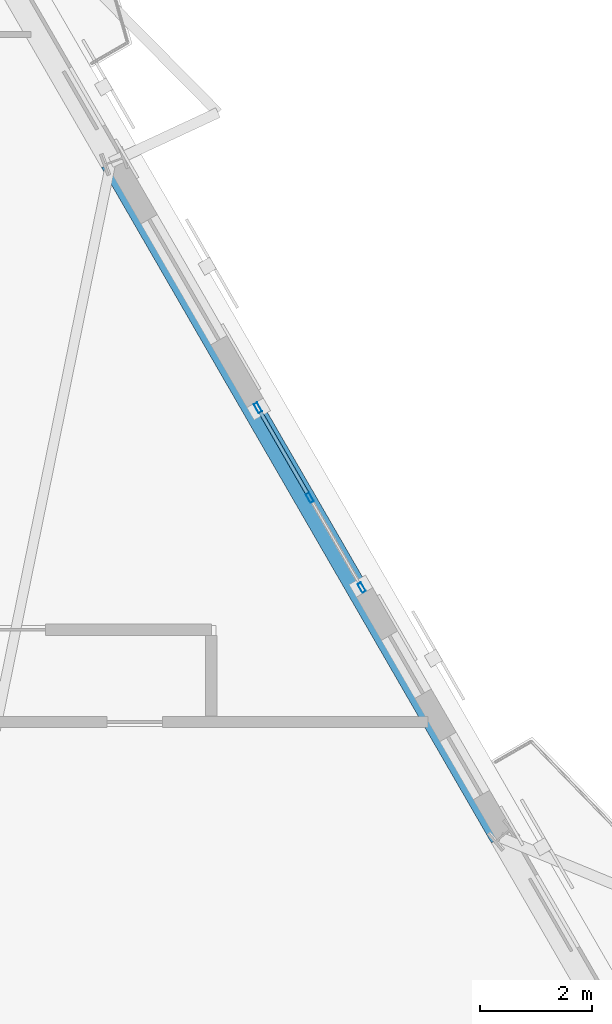
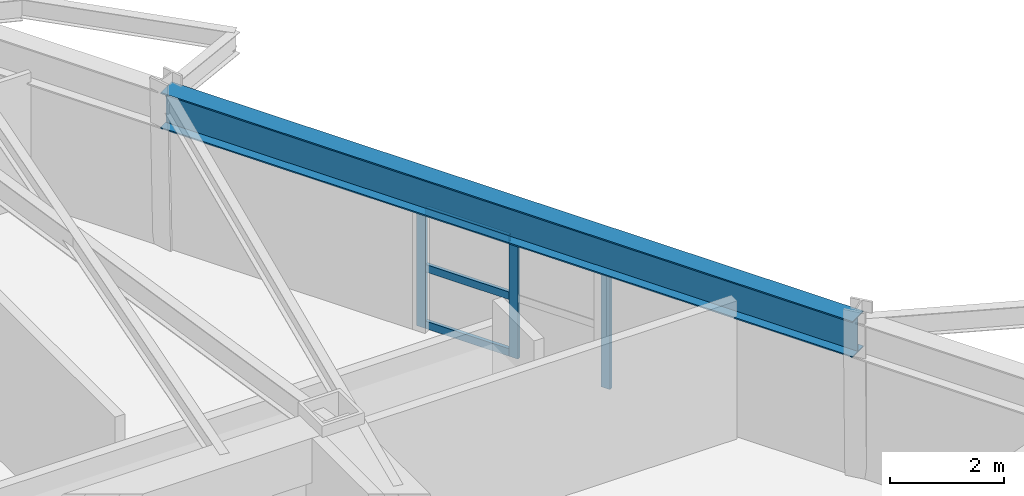
# One storey, part 7 of 16: 6 members, 1 beam, 1 element without a shape of its own.
"""IFC4 building model written with IfcOpenShell, lengths in metres."""

from ifc_helpers import new_model, si_unit, direction, frame, origin, origin_2d, place, context, subcontext, project, spatial, hollow_rectangle, i_section, extrude, material, layer, layer_set, material_profile, profile_set, type_object, element, aggregate, save


model = new_model("IFC4")

# Units and contexts
model_context = context("Model", 3, precision=1e-05, world=origin(), true_north=direction((0.0, 1.0)))
body_context = subcontext(model_context, "Body", "Model", "MODEL_VIEW")
ifc_project = project(units=[si_unit("LENGTHUNIT", "METRE"), si_unit("AREAUNIT", "SQUARE_METRE"), si_unit("VOLUMEUNIT", "CUBIC_METRE"), si_unit("PLANEANGLEUNIT", "RADIAN"), si_unit("MASSUNIT", "GRAM", prefix="KILO")], contexts=[model_context])

# Site, building, storey
site_placement = place(None, origin())
site = spatial("IfcSite", under=ifc_project, at=site_placement, CompositionType="ELEMENT")
building_placement = place(site_placement, origin())
building = spatial("IfcBuilding", under=site, at=building_placement, Name="Oramaril Tower", CompositionType="ELEMENT")
storey_placement = place(building_placement, frame((0.0, 0.0, 115.800048828125)))
storey = spatial("IfcBuildingStorey", under=building, at=storey_placement, Name="L30", CompositionType="ELEMENT", Elevation=115.800048828125)

# Beam
ifc_material_1 = material(Name="Steel ASTM A572 Gr 50", Category="steel")
ifc_material_profile_1 = material_profile(ifc_material_1, i_section(OverallWidth=0.381103515625, OverallDepth=0.77197265625, WebThickness=0.0166015625, FlangeThickness=0.027099609375, at=origin_2d()), Name="W30X173")
ifc_profile_set_1 = profile_set([ifc_material_profile_1], Name="Steel ASTM A572 Gr 50")
beam_type = type_object("IfcBeamType", Name="BT-SP2", PredefinedType="SPANDREL", material=ifc_profile_set_1)
beam_placement = place(storey_placement, frame((55.181640625, 22.248291015625, 2.973876953125), z_axis=(-0.500000489483, 0.866025121181, 0.0), x_axis=(-0.866025121181, -0.500000489483, 0.0)))
element("IfcBeam", 1, at=beam_placement, inside=storey, type_object=beam_type, Name="L30 Perimeter Spandrel 10", PredefinedType="SPANDREL", context=body_context, shape_type="SweptSolid", body=[
    extrude(i_section(OverallWidth=0.381103515625, OverallDepth=0.77197265625, WebThickness=0.0166015625, FlangeThickness=0.027099609375, at=origin_2d()), origin(), (0.0, 0.0, 1.0), 13.96044921875),
])

# Curtain wall, members
ifc_material_2 = material(Name="Anodised Aluminium 6063-T6", Category="aluminium")
ifc_layer = layer(ifc_material_2, 0.179931640625)
ifc_layer_set = layer_set([ifc_layer], Name="CWT-SYS3")
curtain_wall_type = type_object("IfcCurtainWallType", Name="CWT-SYS3", PredefinedType="NOTDEFINED", material=ifc_layer_set)
curtain_wall_placement = place(storey_placement, origin())
curtain_wall = element("IfcCurtainWall", 2, at=curtain_wall_placement, inside=storey, type_object=curtain_wall_type, Name="L30 Unitised Curtain Wall CW-3", PredefinedType="NOTDEFINED")
ifc_material_3 = material(Name="Anodised Aluminium 6063-T6", Category="aluminium")
ifc_material_profile_2 = material_profile(ifc_material_3, hollow_rectangle(XDim=0.070068359375, YDim=0.179931640625, WallThickness=0.00390625, at=origin_2d()), Name="CWM180X70")
ifc_profile_set_2 = profile_set([ifc_material_profile_2], Name="Anodised Aluminium 6063-T6")
member_type_1 = type_object("IfcMemberType", Name="MT-CWM2", PredefinedType="MULLION", material=ifc_profile_set_2)
member_1_placement = place(storey_placement, frame((52.694091796875, 26.724609375, 0.0), z_axis=(0.0, 0.0, 1.0), x_axis=(-0.866025463091, -0.499999897278, 0.0)))
member_1 = element("IfcMember", 3, at=member_1_placement, type_object=member_type_1, Name="CW-3 mullion 1", PredefinedType="MULLION", context=body_context, shape_type="SweptSolid", body=[
    extrude(hollow_rectangle(XDim=0.070068359375, YDim=0.179931640625, WallThickness=0.00390625, at=origin_2d()), origin(), (0.0, 0.0, 1.0), 2.577880859375),
])
member_2_placement = place(storey_placement, frame((51.763916015625, 28.33544921875, 0.0), z_axis=(0.0, 0.0, 1.0), x_axis=(-0.866025463091, -0.499999897278, 0.0)))
member_2 = element("IfcMember", 4, at=member_2_placement, type_object=member_type_1, Name="CW-3 mullion 2", PredefinedType="MULLION", context=body_context, shape_type="SweptSolid", body=[
    extrude(hollow_rectangle(XDim=0.070068359375, YDim=0.179931640625, WallThickness=0.00390625, at=origin_2d()), origin(), (0.0, 0.0, 1.0), 2.577880859375),
])
member_3_placement = place(storey_placement, frame((50.833984375, 29.946044921875, 0.0), z_axis=(0.0, 0.0, 1.0), x_axis=(-0.866025463091, -0.499999897278, 0.0)))
member_3 = element("IfcMember", 5, at=member_3_placement, type_object=member_type_1, Name="CW-3 mullion 3", PredefinedType="MULLION", context=body_context, shape_type="SweptSolid", body=[
    extrude(hollow_rectangle(XDim=0.070068359375, YDim=0.179931640625, WallThickness=0.00390625, at=origin_2d()), origin(), (0.0, 0.0, 1.0), 2.577880859375),
])
ifc_material_4 = material(Name="Anodised Aluminium 6063-T6", Category="aluminium")
ifc_material_profile_3 = material_profile(ifc_material_4, hollow_rectangle(XDim=0.070068359375, YDim=0.159912109375, WallThickness=0.00390625, at=origin_2d()), Name="CWT160X70")
ifc_profile_set_3 = profile_set([ifc_material_profile_3], Name="Anodised Aluminium 6063-T6")
member_type_2 = type_object("IfcMemberType", Name="MT-CWT1", PredefinedType="USERDEFINED", material=ifc_profile_set_3)
member_4_placement = place(storey_placement, frame((51.718994140625, 28.413330078125, 0.079833984375), z_axis=(-0.500062097304, 0.865989548921, 0.0), x_axis=(-0.865989548921, -0.500062097304, 0.0)))
member_4 = element("IfcMember", 6, at=member_4_placement, type_object=member_type_2, Name="CW-3 transom 2.1", ObjectType="TRANSOM", PredefinedType="USERDEFINED", context=body_context, shape_type="SweptSolid", body=[
    extrude(hollow_rectangle(XDim=0.070068359375, YDim=0.159912109375, WallThickness=0.00390625, at=origin_2d()), origin(), (0.0, 0.0, 1.0), 1.679931640625),
])
member_5_placement = place(storey_placement, frame((51.718994140625, 28.413330078125, 1.2890625), z_axis=(-0.500062097304, 0.865989548921, 0.0), x_axis=(-0.865989548921, -0.500062097304, 0.0)))
member_5 = element("IfcMember", 7, at=member_5_placement, type_object=member_type_2, Name="CW-3 transom 2.2", ObjectType="TRANSOM", PredefinedType="USERDEFINED", context=body_context, shape_type="SweptSolid", body=[
    extrude(hollow_rectangle(XDim=0.070068359375, YDim=0.159912109375, WallThickness=0.00390625, at=origin_2d()), origin(), (0.0, 0.0, 1.0), 1.679931640625),
])
member_6_placement = place(storey_placement, frame((51.718994140625, 28.413330078125, 2.498046875), z_axis=(-0.500062097304, 0.865989548921, 0.0), x_axis=(-0.865989548921, -0.500062097304, 0.0)))
member_6 = element("IfcMember", 8, at=member_6_placement, type_object=member_type_2, Name="CW-3 transom 2.3", ObjectType="TRANSOM", PredefinedType="USERDEFINED", context=body_context, shape_type="SweptSolid", body=[
    extrude(hollow_rectangle(XDim=0.070068359375, YDim=0.159912109375, WallThickness=0.00390625, at=origin_2d()), origin(), (0.0, 0.0, 1.0), 1.679931640625),
])
aggregate(curtain_wall, [member_1, member_2, member_3, member_4, member_5, member_6])

save(model, "model.ifc")
